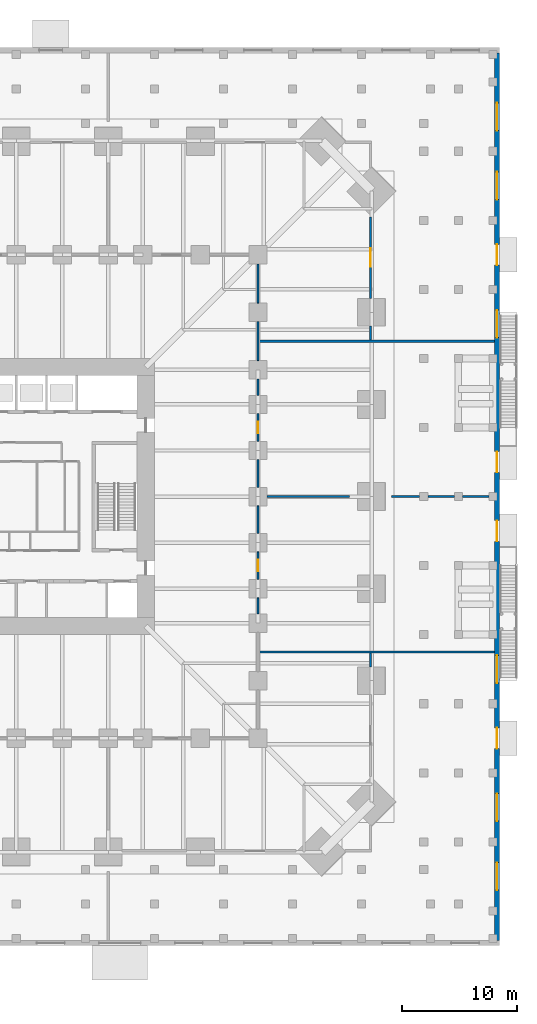
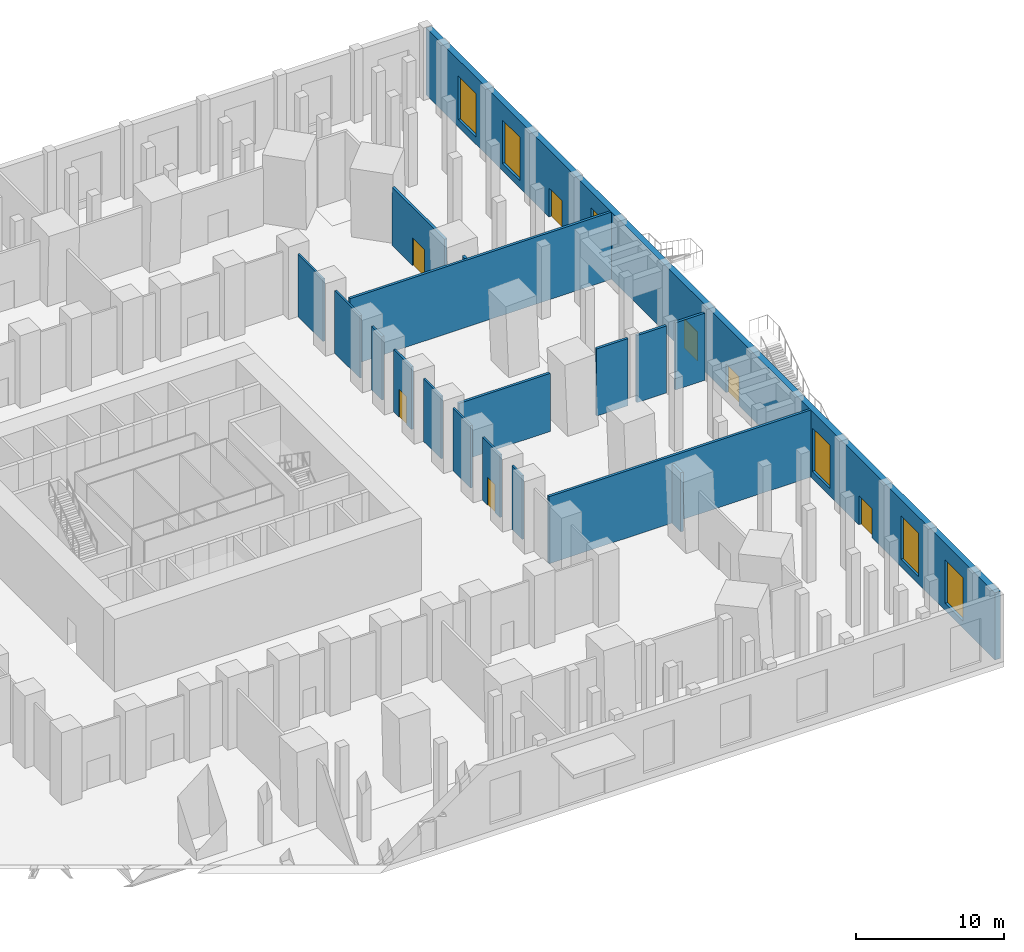
# One storey, part 16 of 20: 18 walls, 7 doors, 6 windows, 13 openings.
"""IFC4 building model written with IfcOpenShell, lengths in metres."""

from ifc_helpers import new_model, si_unit, direction, frame, frame_2d, origin, place, context, subcontext, project, spatial, rectangle, extrude, material, layer, layer_set, type_object, element, fill, save


model = new_model("IFC4")

# Units and contexts
model_context = context("Model", 3, precision=1e-05, world=origin(), true_north=direction((0.0, 1.0)))
body_context = subcontext(model_context, "Body", "Model", "MODEL_VIEW")
ifc_project = project(units=[si_unit("LENGTHUNIT", "METRE"), si_unit("AREAUNIT", "SQUARE_METRE"), si_unit("VOLUMEUNIT", "CUBIC_METRE"), si_unit("PLANEANGLEUNIT", "RADIAN"), si_unit("MASSUNIT", "GRAM", prefix="KILO")], contexts=[model_context])

# Site, building, storey
site_placement = place(None, origin())
site = spatial("IfcSite", under=ifc_project, at=site_placement, CompositionType="ELEMENT")
building_placement = place(site_placement, origin())
building = spatial("IfcBuilding", under=site, at=building_placement, Name="Peilmerk Tower", CompositionType="ELEMENT")
storey_placement = place(building_placement, origin())
storey = spatial("IfcBuildingStorey", under=building, at=storey_placement, Name="L00", CompositionType="ELEMENT", Elevation=0.0)

# Wall, openings, doors, windows
ifc_material_1 = material(Name="Precast concrete C45/55, board-marked finish", Category="concrete")
ifc_layer_1 = layer(ifc_material_1, 0.449951171875)
ifc_layer_set_1 = layer_set([ifc_layer_1], Name="Precast concrete C45/55, board-marked finish")
wall_type_1 = type_object("IfcWallType", Name="EW1 450 precast concrete facade wall, board-marked", PredefinedType="SOLIDWALL", material=ifc_layer_set_1)
wall_1_placement = place(storey_placement, frame((41.77490234375, 38.550048828125, 0.0), z_axis=(0.0, 0.0, 1.0), x_axis=(0.0, -1.0, 0.0)))
wall_1 = element("IfcWall", 1, at=wall_1_placement, inside=storey, type_object=wall_type_1, Name="Facade wall E L00", PredefinedType="SOLIDWALL", context=body_context, shape_type="SweptSolid", body=[
    extrude(rectangle(XDim=77.10009765625, YDim=0.449951171875, at=frame_2d((38.550048828125, 0.0))), origin(), (0.0, 0.0, 1.0), 5.550048828125),
])
opening_1_placement = place(wall_1_placement, frame((4.35009765625, 0.0, 0.60009765625)))
opening_1 = element("IfcOpeningElement", 2, at=opening_1_placement, cuts=wall_1, Name="Opening W4", PredefinedType="OPENING", context=body_context, shape_type="SweptSolid", body=[
    extrude(rectangle(XDim=2.39990234375, YDim=3.60009765625, at=frame_2d((1.199951171875, 1.800048828125))), frame((0.0, 0.23486328125, 0.0), z_axis=(0.0, -1.0, 0.0), x_axis=(1.0, 0.0, 0.0)), (0.0, 0.0, 1.0), 0.469970703125),
])
opening_2_placement = place(wall_1_placement, frame((10.35009765625, 0.0, 0.60009765625)))
opening_2 = element("IfcOpeningElement", 3, at=opening_2_placement, cuts=wall_1, Name="Opening W4", PredefinedType="OPENING", context=body_context, shape_type="SweptSolid", body=[
    extrude(rectangle(XDim=2.39990234375, YDim=3.60009765625, at=frame_2d((1.199951171875, 1.800048828125))), frame((0.0, 0.23486328125, 0.0), z_axis=(0.0, -1.0, 0.0), x_axis=(1.0, 0.0, 0.0)), (0.0, 0.0, 1.0), 0.469970703125),
])
opening_3_placement = place(wall_1_placement, frame((22.35009765625, 0.0, 0.60009765625)))
opening_3 = element("IfcOpeningElement", 4, at=opening_3_placement, cuts=wall_1, Name="Opening W4", PredefinedType="OPENING", context=body_context, shape_type="SweptSolid", body=[
    extrude(rectangle(XDim=2.39990234375, YDim=3.60009765625, at=frame_2d((1.199951171875, 1.800048828125))), frame((0.0, 0.23486328125, 0.0), z_axis=(0.0, -1.0, 0.0), x_axis=(1.0, 0.0, 0.0)), (0.0, 0.0, 1.0), 0.469970703125),
])
opening_4_placement = place(wall_1_placement, frame((52.35009765625, 0.0, 0.60009765625)))
opening_4 = element("IfcOpeningElement", 5, at=opening_4_placement, cuts=wall_1, Name="Opening W4", PredefinedType="OPENING", context=body_context, shape_type="SweptSolid", body=[
    extrude(rectangle(XDim=2.39990234375, YDim=3.60009765625, at=frame_2d((1.199951171875, 1.800048828125))), frame((0.0, 0.23486328125, 0.0), z_axis=(0.0, -1.0, 0.0), x_axis=(1.0, 0.0, 0.0)), (0.0, 0.0, 1.0), 0.469970703125),
])
opening_5_placement = place(wall_1_placement, frame((64.35009765625, 0.0, 0.60009765625)))
opening_5 = element("IfcOpeningElement", 6, at=opening_5_placement, cuts=wall_1, Name="Opening W4", PredefinedType="OPENING", context=body_context, shape_type="SweptSolid", body=[
    extrude(rectangle(XDim=2.39990234375, YDim=3.60009765625, at=frame_2d((1.199951171875, 1.800048828125))), frame((0.0, 0.23486328125, 0.0), z_axis=(0.0, -1.0, 0.0), x_axis=(1.0, 0.0, 0.0)), (0.0, 0.0, 1.0), 0.469970703125),
])
opening_6_placement = place(wall_1_placement, frame((70.35009765625, 0.0, 0.60009765625)))
opening_6 = element("IfcOpeningElement", 7, at=opening_6_placement, cuts=wall_1, Name="Opening W4", PredefinedType="OPENING", context=body_context, shape_type="SweptSolid", body=[
    extrude(rectangle(XDim=2.39990234375, YDim=3.60009765625, at=frame_2d((1.199951171875, 1.800048828125))), frame((0.0, 0.23486328125, 0.0), z_axis=(0.0, -1.0, 0.0), x_axis=(1.0, 0.0, 0.0)), (0.0, 0.0, 1.0), 0.469970703125),
])
opening_7_placement = place(wall_1_placement, frame((16.64990234375, 0.0, 0.0)))
opening_7 = element("IfcOpeningElement", 8, at=opening_7_placement, cuts=wall_1, Name="Opening ED5", PredefinedType="OPENING", context=body_context, shape_type="SweptSolid", body=[
    extrude(rectangle(XDim=1.800048828125, YDim=2.39990234375, at=frame_2d((0.89990234375, 1.199951171875))), frame((0.0, 0.23486328125, 0.0), z_axis=(0.0, -1.0, 0.0), x_axis=(1.0, 0.0, 0.0)), (0.0, 0.0, 1.0), 0.469970703125),
])
opening_8_placement = place(wall_1_placement, frame((34.64990234375, 0.0, 0.0)))
opening_8 = element("IfcOpeningElement", 9, at=opening_8_placement, cuts=wall_1, Name="Opening ED5", PredefinedType="OPENING", context=body_context, shape_type="SweptSolid", body=[
    extrude(rectangle(XDim=1.800048828125, YDim=2.39990234375, at=frame_2d((0.89990234375, 1.199951171875))), frame((0.0, 0.23486328125, 0.0), z_axis=(0.0, -1.0, 0.0), x_axis=(1.0, 0.0, 0.0)), (0.0, 0.0, 1.0), 0.469970703125),
])
opening_9_placement = place(wall_1_placement, frame((40.64990234375, 0.0, 0.0)))
opening_9 = element("IfcOpeningElement", 10, at=opening_9_placement, cuts=wall_1, Name="Opening ED5", PredefinedType="OPENING", context=body_context, shape_type="SweptSolid", body=[
    extrude(rectangle(XDim=1.800048828125, YDim=2.39990234375, at=frame_2d((0.89990234375, 1.199951171875))), frame((0.0, 0.23486328125, 0.0), z_axis=(0.0, -1.0, 0.0), x_axis=(1.0, 0.0, 0.0)), (0.0, 0.0, 1.0), 0.469970703125),
])
opening_10_placement = place(wall_1_placement, frame((58.64990234375, 0.0, 0.0)))
opening_10 = element("IfcOpeningElement", 11, at=opening_10_placement, cuts=wall_1, Name="Opening ED5", PredefinedType="OPENING", context=body_context, shape_type="SweptSolid", body=[
    extrude(rectangle(XDim=1.800048828125, YDim=2.39990234375, at=frame_2d((0.89990234375, 1.199951171875))), frame((0.0, 0.23486328125, 0.0), z_axis=(0.0, -1.0, 0.0), x_axis=(1.0, 0.0, 0.0)), (0.0, 0.0, 1.0), 0.469970703125),
])
ifc_material_2 = material(Name="Steel door", Category="steel")
door_type_1 = type_object("IfcDoorType", Name="ED5 1800x2400 external exit door pair", OperationType="DOUBLE_DOOR_SINGLE_SWING", PredefinedType="DOOR", material=ifc_material_2)
door_1_placement = place(opening_7_placement, origin())
door_1 = element("IfcDoor", 12, at=door_1_placement, inside=storey, type_object=door_type_1, Name="External exit door pair L00", OperationType="DOUBLE_DOOR_SINGLE_SWING", OverallHeight=2.39990234375, OverallWidth=1.800048828125, PredefinedType="DOOR", context=body_context, shape_type="SweptSolid", body=[
    extrude(rectangle(XDim=1.800048828125, YDim=2.39990234375, at=frame_2d((0.89990234375, 1.199951171875))), frame((0.0, 0.02490234375, 0.0), z_axis=(0.0, -1.0, 0.0), x_axis=(1.0, 0.0, 0.0)), (0.0, 0.0, 1.0), 0.050048828125),
])
fill(opening_7, door_1)
door_2_placement = place(opening_8_placement, origin())
door_2 = element("IfcDoor", 13, at=door_2_placement, inside=storey, type_object=door_type_1, Name="External exit door pair L00", OperationType="DOUBLE_DOOR_SINGLE_SWING", OverallHeight=2.39990234375, OverallWidth=1.800048828125, PredefinedType="DOOR", context=body_context, shape_type="SweptSolid", body=[
    extrude(rectangle(XDim=1.800048828125, YDim=2.39990234375, at=frame_2d((0.89990234375, 1.199951171875))), frame((0.0, 0.02490234375, 0.0), z_axis=(0.0, -1.0, 0.0), x_axis=(1.0, 0.0, 0.0)), (0.0, 0.0, 1.0), 0.050048828125),
])
fill(opening_8, door_2)
door_3_placement = place(opening_9_placement, origin())
door_3 = element("IfcDoor", 14, at=door_3_placement, inside=storey, type_object=door_type_1, Name="External exit door pair L00", OperationType="DOUBLE_DOOR_SINGLE_SWING", OverallHeight=2.39990234375, OverallWidth=1.800048828125, PredefinedType="DOOR", context=body_context, shape_type="SweptSolid", body=[
    extrude(rectangle(XDim=1.800048828125, YDim=2.39990234375, at=frame_2d((0.89990234375, 1.199951171875))), frame((0.0, 0.02490234375, 0.0), z_axis=(0.0, -1.0, 0.0), x_axis=(1.0, 0.0, 0.0)), (0.0, 0.0, 1.0), 0.050048828125),
])
fill(opening_9, door_3)
door_4_placement = place(opening_10_placement, origin())
door_4 = element("IfcDoor", 15, at=door_4_placement, inside=storey, type_object=door_type_1, Name="External exit door pair L00", OperationType="DOUBLE_DOOR_SINGLE_SWING", OverallHeight=2.39990234375, OverallWidth=1.800048828125, PredefinedType="DOOR", context=body_context, shape_type="SweptSolid", body=[
    extrude(rectangle(XDim=1.800048828125, YDim=2.39990234375, at=frame_2d((0.89990234375, 1.199951171875))), frame((0.0, 0.02490234375, 0.0), z_axis=(0.0, -1.0, 0.0), x_axis=(1.0, 0.0, 0.0)), (0.0, 0.0, 1.0), 0.050048828125),
])
fill(opening_10, door_4)
ifc_material_3 = material(Name="Aluminium frame, clear double glazing", Category="aluminium")
window_type = type_object("IfcWindowType", Name="W4 2400x3600 podium entrance glazing", PartitioningType="SINGLE_PANEL", PredefinedType="WINDOW", material=ifc_material_3)
window_1_placement = place(opening_1_placement, origin())
window_1 = element("IfcWindow", 16, at=window_1_placement, inside=storey, type_object=window_type, Name="Window W4 L00", OverallHeight=3.60009765625, OverallWidth=2.39990234375, PartitioningType="SINGLE_PANEL", PredefinedType="WINDOW", context=body_context, shape_type="SweptSolid", body=[
    extrude(rectangle(XDim=2.39990234375, YDim=3.60009765625, at=frame_2d((1.199951171875, 1.800048828125))), frame((0.0, 0.030029296875, 0.0), z_axis=(0.0, -1.0, 0.0), x_axis=(1.0, 0.0, 0.0)), (0.0, 0.0, 1.0), 0.06005859375),
])
fill(opening_1, window_1)
window_2_placement = place(opening_2_placement, origin())
window_2 = element("IfcWindow", 17, at=window_2_placement, inside=storey, type_object=window_type, Name="Window W4 L00", OverallHeight=3.60009765625, OverallWidth=2.39990234375, PartitioningType="SINGLE_PANEL", PredefinedType="WINDOW", context=body_context, shape_type="SweptSolid", body=[
    extrude(rectangle(XDim=2.39990234375, YDim=3.60009765625, at=frame_2d((1.199951171875, 1.800048828125))), frame((0.0, 0.030029296875, 0.0), z_axis=(0.0, -1.0, 0.0), x_axis=(1.0, 0.0, 0.0)), (0.0, 0.0, 1.0), 0.06005859375),
])
fill(opening_2, window_2)
window_3_placement = place(opening_3_placement, origin())
window_3 = element("IfcWindow", 18, at=window_3_placement, inside=storey, type_object=window_type, Name="Window W4 L00", OverallHeight=3.60009765625, OverallWidth=2.39990234375, PartitioningType="SINGLE_PANEL", PredefinedType="WINDOW", context=body_context, shape_type="SweptSolid", body=[
    extrude(rectangle(XDim=2.39990234375, YDim=3.60009765625, at=frame_2d((1.199951171875, 1.800048828125))), frame((0.0, 0.030029296875, 0.0), z_axis=(0.0, -1.0, 0.0), x_axis=(1.0, 0.0, 0.0)), (0.0, 0.0, 1.0), 0.06005859375),
])
fill(opening_3, window_3)
window_4_placement = place(opening_4_placement, origin())
window_4 = element("IfcWindow", 19, at=window_4_placement, inside=storey, type_object=window_type, Name="Window W4 L00", OverallHeight=3.60009765625, OverallWidth=2.39990234375, PartitioningType="SINGLE_PANEL", PredefinedType="WINDOW", context=body_context, shape_type="SweptSolid", body=[
    extrude(rectangle(XDim=2.39990234375, YDim=3.60009765625, at=frame_2d((1.199951171875, 1.800048828125))), frame((0.0, 0.030029296875, 0.0), z_axis=(0.0, -1.0, 0.0), x_axis=(1.0, 0.0, 0.0)), (0.0, 0.0, 1.0), 0.06005859375),
])
fill(opening_4, window_4)
window_5_placement = place(opening_5_placement, origin())
window_5 = element("IfcWindow", 20, at=window_5_placement, inside=storey, type_object=window_type, Name="Window W4 L00", OverallHeight=3.60009765625, OverallWidth=2.39990234375, PartitioningType="SINGLE_PANEL", PredefinedType="WINDOW", context=body_context, shape_type="SweptSolid", body=[
    extrude(rectangle(XDim=2.39990234375, YDim=3.60009765625, at=frame_2d((1.199951171875, 1.800048828125))), frame((0.0, 0.030029296875, 0.0), z_axis=(0.0, -1.0, 0.0), x_axis=(1.0, 0.0, 0.0)), (0.0, 0.0, 1.0), 0.06005859375),
])
fill(opening_5, window_5)
window_6_placement = place(opening_6_placement, origin())
window_6 = element("IfcWindow", 21, at=window_6_placement, inside=storey, type_object=window_type, Name="Window W4 L00", OverallHeight=3.60009765625, OverallWidth=2.39990234375, PartitioningType="SINGLE_PANEL", PredefinedType="WINDOW", context=body_context, shape_type="SweptSolid", body=[
    extrude(rectangle(XDim=2.39990234375, YDim=3.60009765625, at=frame_2d((1.199951171875, 1.800048828125))), frame((0.0, 0.030029296875, 0.0), z_axis=(0.0, -1.0, 0.0), x_axis=(1.0, 0.0, 0.0)), (0.0, 0.0, 1.0), 0.06005859375),
])
fill(opening_6, window_6)

# Wall
ifc_material_4 = material(Name="Calcium silicate block", Category="masonry")
ifc_layer_2 = layer(ifc_material_4, 0.14990234375)
ifc_layer_set_2 = layer_set([ifc_layer_2], Name="Calcium silicate block")
wall_type_2 = type_object("IfcWallType", Name="IW1 150 corridor partition, EI 60", PredefinedType="PARTITIONING", material=ifc_layer_set_2)
wall_2_placement = place(storey_placement, frame((21.0, -10.199951171875, 0.0), z_axis=(0.0, 0.0, 1.0), x_axis=(0.0, 1.0, 0.0)))
element("IfcWall", 22, at=wall_2_placement, inside=storey, type_object=wall_type_2, Name="Corridor wall Ec L00", PredefinedType="PARTITIONING", context=body_context, shape_type="SweptSolid", body=[
    extrude(rectangle(XDim=1.39990234375, YDim=0.14990234375, at=frame_2d((0.699951171875, 0.0))), origin(), (0.0, 0.0, 1.0), 5.27587890625),
])

# Wall, opening, door
wall_3_placement = place(storey_placement, frame((21.0, -7.199951171875, 0.0), z_axis=(0.0, 0.0, 1.0), x_axis=(0.0, 1.0, 0.0)))
wall_3 = element("IfcWall", 23, at=wall_3_placement, inside=storey, type_object=wall_type_2, Name="Corridor wall Ed L00", PredefinedType="PARTITIONING", context=body_context, shape_type="SweptSolid", body=[
    extrude(rectangle(XDim=2.39990234375, YDim=0.14990234375, at=frame_2d((1.199951171875, 0.0))), origin(), (0.0, 0.0, 1.0), 5.179931640625),
])
opening_11_placement = place(wall_3_placement, frame((0.699951171875, 0.0, 0.0)))
opening_11 = element("IfcOpeningElement", 24, at=opening_11_placement, cuts=wall_3, Name="Opening D1", PredefinedType="OPENING", context=body_context, shape_type="SweptSolid", body=[
    extrude(rectangle(XDim=1.0, YDim=2.300048828125, at=frame_2d((0.5, 1.14990234375))), frame((0.0, 0.0849609375, 0.0), z_axis=(0.0, -1.0, 0.0), x_axis=(1.0, 0.0, 0.0)), (0.0, 0.0, 1.0), 0.169921875),
])
ifc_material_5 = material(Name="Timber door in steel frame", Category="steel")
door_type_2 = type_object("IfcDoorType", Name="D1 1000x2300 room door, EI2 30", OperationType="SINGLE_SWING_LEFT", PredefinedType="DOOR", material=ifc_material_5)
door_5_placement = place(opening_11_placement, frame((1.0, 0.0, 0.0), z_axis=(0.0, 0.0, 1.0), x_axis=(-1.0, 0.0, 0.0)))
door_5 = element("IfcDoor", 25, at=door_5_placement, inside=storey, type_object=door_type_2, Name="Door Fire command centre L00", OperationType="SINGLE_SWING_LEFT", OverallHeight=2.300048828125, OverallWidth=1.0, PredefinedType="DOOR", context=body_context, shape_type="SweptSolid", body=[
    extrude(rectangle(XDim=1.0, YDim=2.300048828125, at=frame_2d((0.5, 1.14990234375))), frame((0.0, 0.02490234375, 0.0), z_axis=(0.0, -1.0, 0.0), x_axis=(1.0, 0.0, 0.0)), (0.0, 0.0, 1.0), 0.050048828125),
])
fill(opening_11, door_5)

# Walls
for number, where, z_axis, x_axis, name in (
    (26, (21.0, -3.199951171875, 0.0), (0.0, 0.0, 1.0), (0.0, 1.0, 0.0), "Corridor wall Ee L00"),
    (27, (21.0, 0.800048828125, 0.0), (0.0, 0.0, 1.0), (0.0, 1.0, 0.0), "Corridor wall Ef L00"),
):
    element("IfcWall", number, at=place(storey_placement, frame(where, z_axis=z_axis, x_axis=x_axis)), inside=storey, type_object=wall_type_2, Name=name, PredefinedType="PARTITIONING", context=body_context, shape_type="SweptSolid", body=[
        extrude(rectangle(XDim=2.39990234375, YDim=0.14990234375, at=frame_2d((1.199951171875, 0.0))), origin(), (0.0, 0.0, 1.0), 5.179931640625),
    ])

# Wall, opening, door
wall_4_placement = place(storey_placement, frame((21.0, 4.800048828125, 0.0), z_axis=(0.0, 0.0, 1.0), x_axis=(0.0, 1.0, 0.0)))
wall_4 = element("IfcWall", 28, at=wall_4_placement, inside=storey, type_object=wall_type_2, Name="Corridor wall Eg L00", PredefinedType="PARTITIONING", context=body_context, shape_type="SweptSolid", body=[
    extrude(rectangle(XDim=2.39990234375, YDim=0.14990234375, at=frame_2d((1.199951171875, 0.0))), origin(), (0.0, 0.0, 1.0), 5.179931640625),
])
opening_12_placement = place(wall_4_placement, frame((0.699951171875, 0.0, 0.0)))
opening_12 = element("IfcOpeningElement", 29, at=opening_12_placement, cuts=wall_4, Name="Opening D1", PredefinedType="OPENING", context=body_context, shape_type="SweptSolid", body=[
    extrude(rectangle(XDim=1.0, YDim=2.300048828125, at=frame_2d((0.5, 1.14990234375))), frame((0.0, 0.0849609375, 0.0), z_axis=(0.0, -1.0, 0.0), x_axis=(1.0, 0.0, 0.0)), (0.0, 0.0, 1.0), 0.169921875),
])
door_6_placement = place(opening_12_placement, frame((1.0, 0.0, 0.0), z_axis=(0.0, 0.0, 1.0), x_axis=(-1.0, 0.0, 0.0)))
door_6 = element("IfcDoor", 30, at=door_6_placement, inside=storey, type_object=door_type_2, Name="Door Security control room L00", OperationType="SINGLE_SWING_LEFT", OverallHeight=2.300048828125, OverallWidth=1.0, PredefinedType="DOOR", context=body_context, shape_type="SweptSolid", body=[
    extrude(rectangle(XDim=1.0, YDim=2.300048828125, at=frame_2d((0.5, 1.14990234375))), frame((0.0, 0.02490234375, 0.0), z_axis=(0.0, -1.0, 0.0), x_axis=(1.0, 0.0, 0.0)), (0.0, 0.0, 1.0), 0.050048828125),
])
fill(opening_12, door_6)

# Walls
wall_5_placement = place(storey_placement, frame((21.0, 8.800048828125, 0.0), z_axis=(0.0, 0.0, 1.0), x_axis=(0.0, 1.0, 0.0)))
element("IfcWall", 31, at=wall_5_placement, inside=storey, type_object=wall_type_2, Name="Corridor wall Eh L00", PredefinedType="PARTITIONING", context=body_context, shape_type="SweptSolid", body=[
    extrude(rectangle(XDim=1.39990234375, YDim=0.14990234375, at=frame_2d((0.699951171875, 0.0))), origin(), (0.0, 0.0, 1.0), 5.27587890625),
])
for number, where, z_axis, x_axis, name in (
    (32, (21.0, 11.800048828125, 0.0), (0.0, 0.0, 1.0), (0.0, 1.0, 0.0), "Corridor wall Ei L00"),
    (33, (21.0, 16.800048828125, 0.0), (0.0, 0.0, 1.0), (0.0, 1.0, 0.0), "Corridor wall Ej L00"),
):
    element("IfcWall", number, at=place(storey_placement, frame(where, z_axis=z_axis, x_axis=x_axis)), inside=storey, type_object=wall_type_2, Name=name, PredefinedType="PARTITIONING", context=body_context, shape_type="SweptSolid", body=[
        extrude(rectangle(XDim=3.39990234375, YDim=0.14990234375, at=frame_2d((1.699951171875, 0.0))), origin(), (0.0, 0.0, 1.0), 5.179931640625),
    ])
ifc_layer_3 = layer(ifc_material_4, 0.199951171875)
ifc_layer_set_3 = layer_set([ifc_layer_3], Name="Calcium silicate block")
wall_type_3 = type_object("IfcWallType", Name="IW2 200 room separating wall, EI 120", PredefinedType="PARTITIONING", material=ifc_layer_set_3)
for number, where, z_axis, x_axis, name in (
    (34, (21.074951171875, 13.5, 0.0), (0.0, 0.0, 1.0), (1.0, 0.0, 0.0), "Room separating wall NE L00"),
    (35, (41.550048828125, -13.5, 0.0), (0.0, 0.0, 1.0), (-1.0, 0.0, 0.0), "Room separating wall SE L00"),
):
    element("IfcWall", number, at=place(storey_placement, frame(where, z_axis=z_axis, x_axis=x_axis)), inside=storey, type_object=wall_type_3, Name=name, PredefinedType="PARTITIONING", context=body_context, shape_type="SweptSolid", body=[
        extrude(rectangle(XDim=20.47509765625, YDim=0.199951171875, at=frame_2d((10.237548828125, 0.0))), origin(), (0.0, 0.0, 1.0), 5.550048828125),
    ])
wall_6_placement = place(storey_placement, frame((21.800048828125, 0.0, 0.0), z_axis=(0.0, 0.0, 1.0), x_axis=(1.0, 0.0, 0.0)))
element("IfcWall", 36, at=wall_6_placement, inside=storey, type_object=wall_type_3, Name="Room separating wall E1 L00", PredefinedType="PARTITIONING", context=body_context, shape_type="SweptSolid", body=[
    extrude(rectangle(XDim=7.15771484375, YDim=0.199951171875, at=frame_2d((3.578857421875, 0.0))), origin(), (0.0, 0.0, 1.0), 4.81005859375),
])
wall_7_placement = place(storey_placement, frame((32.59375, 0.0, 0.0), z_axis=(0.0, 0.0, 1.0), x_axis=(1.0, 0.0, 0.0)))
element("IfcWall", 37, at=wall_7_placement, inside=storey, type_object=wall_type_3, Name="Room separating wall E1b L00", PredefinedType="PARTITIONING", context=body_context, shape_type="SweptSolid", body=[
    extrude(rectangle(XDim=2.456298828125, YDim=0.199951171875, at=frame_2d((1.22802734375, 0.0))), origin(), (0.0, 0.0, 1.0), 5.550048828125),
])
for number, where, z_axis, x_axis, name in (
    (38, (35.75, 0.0, 0.0), (0.0, 0.0, 1.0), (1.0, 0.0, 0.0), "Room separating wall E1c L00"),
    (39, (38.75, 0.0, 0.0), (0.0, 0.0, 1.0), (1.0, 0.0, 0.0), "Room separating wall E1d L00"),
):
    element("IfcWall", number, at=place(storey_placement, frame(where, z_axis=z_axis, x_axis=x_axis)), inside=storey, type_object=wall_type_3, Name=name, PredefinedType="PARTITIONING", context=body_context, shape_type="SweptSolid", body=[
        extrude(rectangle(XDim=2.300048828125, YDim=0.199951171875, at=frame_2d((1.14990234375, 0.0))), origin(), (0.0, 0.0, 1.0), 5.550048828125),
    ])

# Wall, opening, door
wall_8_placement = place(storey_placement, frame((30.77587890625, 24.304443359375, 0.0), z_axis=(0.0, 0.0, 1.0), x_axis=(0.0, -1.0, 0.0)))
wall_8 = element("IfcWall", 40, at=wall_8_placement, inside=storey, type_object=wall_type_3, Name="Room separating wall N3X011 L00", PredefinedType="PARTITIONING", context=body_context, shape_type="SweptSolid", body=[
    extrude(rectangle(XDim=7.1044921875, YDim=0.199951171875, at=frame_2d((3.55224609375, 0.0))), origin(), (0.0, 0.0, 1.0), 4.800048828125),
])
opening_13_placement = place(wall_8_placement, frame((2.752197265625, 0.0, 0.0)))
opening_13 = element("IfcOpeningElement", 41, at=opening_13_placement, cuts=wall_8, Name="Opening D9", PredefinedType="OPENING", context=body_context, shape_type="SweptSolid", body=[
    extrude(rectangle(XDim=1.60009765625, YDim=2.300048828125, at=frame_2d((0.800048828125, 1.14990234375))), frame((0.0, 0.10986328125, 0.0), z_axis=(0.0, -1.0, 0.0), x_axis=(1.0, 0.0, 0.0)), (0.0, 0.0, 1.0), 0.219970703125),
])
ifc_material_6 = material(Name="Glazed timber door in steel frame", Category="steel")
door_type_3 = type_object("IfcDoorType", Name="D9 1600x2300 glazed double door, EI2 30", OperationType="DOUBLE_DOOR_SINGLE_SWING", PredefinedType="DOOR", material=ifc_material_6)
door_7_placement = place(opening_13_placement, origin())
door_7 = element("IfcDoor", 42, at=door_7_placement, inside=storey, type_object=door_type_3, Name="Door Colonnade walkway L00", OperationType="DOUBLE_DOOR_SINGLE_SWING", OverallHeight=2.300048828125, OverallWidth=1.60009765625, PredefinedType="DOOR", context=body_context, shape_type="SweptSolid", body=[
    extrude(rectangle(XDim=1.60009765625, YDim=2.300048828125, at=frame_2d((0.800048828125, 1.14990234375))), frame((0.0, 0.02490234375, 0.0), z_axis=(0.0, -1.0, 0.0), x_axis=(1.0, 0.0, 0.0)), (0.0, 0.0, 1.0), 0.050048828125),
])
fill(opening_13, door_7)

# Walls
for number, where, z_axis, x_axis, name in (
    (43, (30.77587890625, 14.800048828125, 0.0), (0.0, 0.0, 1.0), (0.0, -1.0, 0.0), "Room separating wall N3X012 L00"),
    (44, (30.77587890625, -13.60009765625, 0.0), (0.0, 0.0, 1.0), (0.0, -1.0, 0.0), "Room separating wall S3X000 L00"),
):
    element("IfcWall", number, at=place(storey_placement, frame(where, z_axis=z_axis, x_axis=x_axis)), inside=storey, type_object=wall_type_3, Name=name, PredefinedType="PARTITIONING", context=body_context, shape_type="SweptSolid", body=[
        extrude(rectangle(XDim=1.199951171875, YDim=0.199951171875, at=frame_2d((0.60009765625, 0.0))), origin(), (0.0, 0.0, 1.0), 4.889892578125),
    ])

save(model, "model.ifc")
